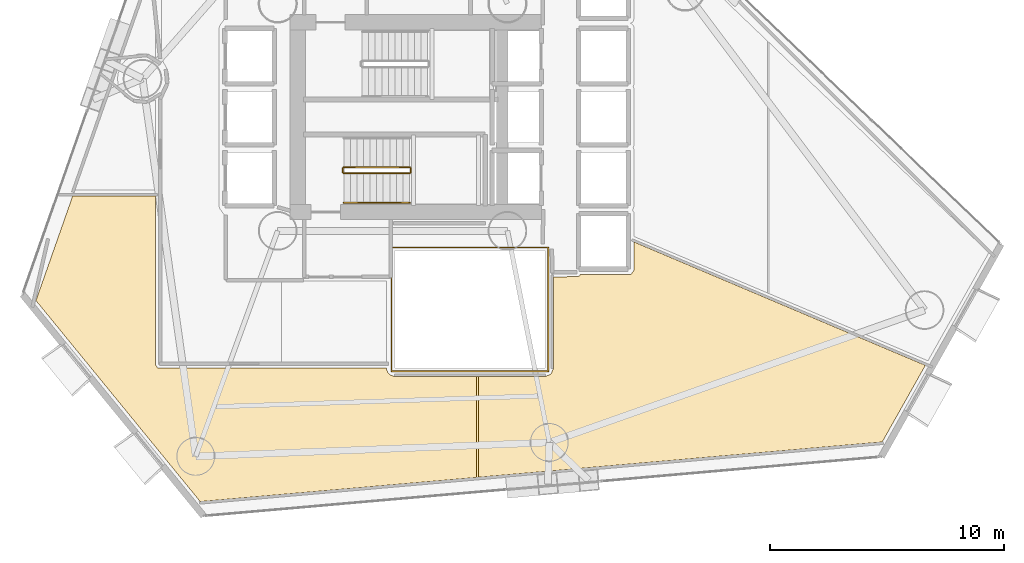
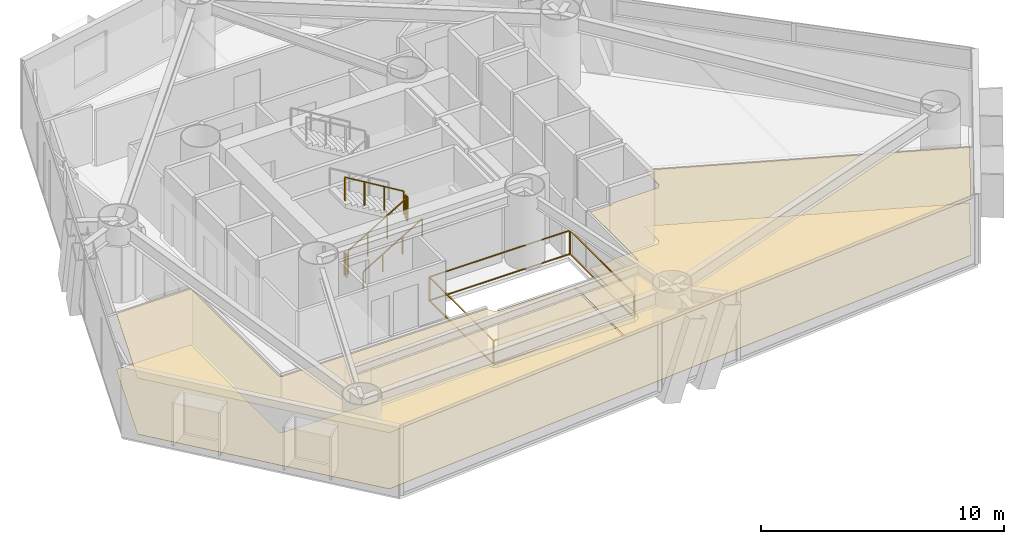
# One storey, part 21 of 23: 6 railings, 3 coverings.
"""IFC4 building model written with IfcOpenShell, lengths in metres."""

from ifc_helpers import new_model, si_unit, direction, frame, origin, origin_2d, place, context, subcontext, project, spatial, polyline, rectangle, outline, extrude, material, layer, layer_set, type_object, element, save


model = new_model("IFC4")

# Units and contexts
model_context = context("Model", 3, precision=1e-05, world=origin(), true_north=direction((0.0, 1.0)))
body_context = subcontext(model_context, "Body", "Model", "MODEL_VIEW")
ifc_project = project(units=[si_unit("LENGTHUNIT", "METRE"), si_unit("AREAUNIT", "SQUARE_METRE"), si_unit("VOLUMEUNIT", "CUBIC_METRE"), si_unit("PLANEANGLEUNIT", "RADIAN"), si_unit("MASSUNIT", "GRAM", prefix="KILO")], contexts=[model_context])

# Site, building, storey
site_placement = place(None, origin())
site = spatial("IfcSite", under=ifc_project, at=site_placement, CompositionType="ELEMENT")
building_placement = place(site_placement, origin())
building = spatial("IfcBuilding", under=site, at=building_placement, Name="Qianvela Tower", CompositionType="ELEMENT")
storey_placement = place(building_placement, frame((0.0, 0.0, 63.60009765625)))
storey = spatial("IfcBuildingStorey", under=building, at=storey_placement, Name="L15", CompositionType="ELEMENT", Elevation=63.60009765625)

# Coverings
ifc_material_1 = material(Name="Perforated Mineral Acoustic Ceiling Tile")
ifc_layer_1 = layer(ifc_material_1, 0.02490234375)
ifc_layer_set_1 = layer_set([ifc_layer_1], Name="Perforated Mineral Acoustic Ceiling Tile")
covering_type_1 = type_object("IfcCoveringType", Name="COV-CEIL-ACOUSTIC-25", PredefinedType="CEILING", material=ifc_layer_set_1)
covering_1_placement = place(storey_placement, frame((0.0, 0.0, 2.81494140625)))
element("IfcCovering", 1, at=covering_1_placement, inside=storey, type_object=covering_type_1, Name="L15 Acoustic Ceiling Bay 1 Student Fitness Gym L15-01", PredefinedType="CEILING", context=body_context, shape_type="SweptSolid", body=[
    extrude(outline(polyline([(25.29248046875, 12.296630859375), (18.283203125, 20.874267578125), (19.853515625, 25.343017578125), (23.389892578125, 25.343017578125), (23.389892578125, 18.14990234375), (23.390380859375, 18.14208984375), (23.3916015625, 18.134521484375), (23.393310546875, 18.126708984375), (23.39599609375, 18.119384765625), (23.3994140625, 18.1123046875), (23.403564453125, 18.105712890625), (23.452880859375, 18.031494140625), (23.45751953125, 18.025390625), (23.462890625, 18.01953125), (23.468505859375, 18.014404296875), (23.474853515625, 18.009521484375), (23.481689453125, 18.005615234375), (23.48876953125, 18.002197265625), (23.49609375, 17.99951171875), (23.503662109375, 17.99755859375), (23.511474609375, 17.99658203125), (23.519287109375, 17.99609375), (33.243408203125, 17.989990234375), (33.24560546875, 17.94189453125), (33.24609375, 17.93505859375), (33.247314453125, 17.927978515625), (33.2490234375, 17.92138671875), (33.25146484375, 17.914794921875), (33.293212890625, 17.813720703125), (33.296630859375, 17.806640625), (33.30078125, 17.800048828125), (33.305419921875, 17.793701171875), (33.310546875, 17.787841796875), (33.387939453125, 17.710693359375), (33.39306640625, 17.705810546875), (33.398681640625, 17.70166015625), (33.40478515625, 17.69775390625), (33.410888671875, 17.694580078125), (33.41748046875, 17.69189453125), (33.545654296875, 17.64599609375), (33.554443359375, 17.643310546875), (33.5634765625, 17.641845703125), (33.572509765625, 17.641357421875), (37.077392578125, 17.641357421875), (37.077392578125, 13.326416015625), (25.29248046875, 12.296630859375)])), origin(), (0.0, 0.0, 1.0), 0.02490234375),
])
covering_2_placement = place(storey_placement, frame((0.0, 0.0, 2.81494140625)))
element("IfcCovering", 2, at=covering_2_placement, inside=storey, type_object=covering_type_1, Name="L15 Acoustic Ceiling Bay 2 Student Fitness Gym L15-01", PredefinedType="CEILING", context=body_context, shape_type="SweptSolid", body=[
    extrude(outline(polyline([(54.392578125, 14.839111328125), (37.157470703125, 13.333251953125), (37.157470703125, 17.641357421875), (40.02734375, 17.641357421875), (40.036376953125, 17.641845703125), (40.044921875, 17.643310546875), (40.053466796875, 17.645751953125), (40.0615234375, 17.64892578125), (40.232177734375, 17.729736328125), (40.239013671875, 17.7333984375), (40.24560546875, 17.73779296875), (40.251708984375, 17.74267578125), (40.25732421875, 17.748291015625), (40.26220703125, 17.75439453125), (40.2666015625, 17.760986328125), (40.270263671875, 17.767822265625), (40.35107421875, 17.9384765625), (40.354248046875, 17.946533203125), (40.356689453125, 17.955078125), (40.358154296875, 17.963623046875), (40.358642578125, 17.972412109375), (40.360107421875, 21.889892578125), (41.367919921875, 21.890380859375), (41.375732421875, 21.890869140625), (41.383544921875, 21.891845703125), (41.39111328125, 21.893798828125), (41.3984375, 21.896484375), (41.405517578125, 21.89990234375), (41.45947265625, 21.9287109375), (41.46630859375, 21.932861328125), (41.472900390625, 21.9375), (41.478759765625, 21.943115234375), (41.48388671875, 21.948974609375), (41.48876953125, 21.955322265625), (41.492919921875, 21.96240234375), (41.49609375, 21.969482421875), (41.498779296875, 21.97705078125), (41.49951171875, 21.980224609375), (43.634033203125, 21.99072265625), (43.64208984375, 21.9912109375), (43.650390625, 21.992431640625), (43.658203125, 21.99462890625), (43.666015625, 21.99755859375), (43.67333984375, 22.001220703125), (43.680419921875, 22.005615234375), (43.686767578125, 22.010986328125), (43.692626953125, 22.0166015625), (43.69775390625, 22.02294921875), (43.78369140625, 22.138671875), (43.788330078125, 22.145751953125), (43.792236328125, 22.1533203125), (43.79541015625, 22.1611328125), (43.797607421875, 22.169189453125), (43.798828125, 22.177734375), (43.79931640625, 22.186279296875), (43.801025390625, 23.37353515625), (56.23388671875, 18.109619140625), (54.392578125, 14.839111328125)])), origin(), (0.0, 0.0, 1.0), 0.02490234375),
])
ifc_material_2 = material(Name="Engineered Acoustic Oak Timber Flooring", Category="wood")
ifc_layer_2 = layer(ifc_material_2, 0.02001953125)
ifc_layer_set_2 = layer_set([ifc_layer_2], Name="Engineered Acoustic Oak Timber Flooring")
covering_type_2 = type_object("IfcCoveringType", Name="COV-FLOOR-OAK-20", PredefinedType="FLOORING", material=ifc_layer_set_2)
covering_3_placement = place(storey_placement, origin())
element("IfcCovering", 3, at=covering_3_placement, inside=storey, type_object=covering_type_2, Name="L15 Finish Flooring Student Fitness Gym L15-01", PredefinedType="FLOORING", context=body_context, shape_type="SweptSolid", body=[
    extrude(outline(polyline([(56.23388671875, 18.109619140625), (54.392578125, 14.839111328125), (25.29248046875, 12.296630859375), (18.283203125, 20.874267578125), (19.853515625, 25.343017578125), (23.389892578125, 25.343017578125), (23.389892578125, 18.14990234375), (23.390380859375, 18.14208984375), (23.3916015625, 18.134521484375), (23.393310546875, 18.126708984375), (23.39599609375, 18.119384765625), (23.3994140625, 18.1123046875), (23.403564453125, 18.105712890625), (23.452880859375, 18.031494140625), (23.45751953125, 18.025390625), (23.462890625, 18.01953125), (23.468505859375, 18.014404296875), (23.474853515625, 18.009521484375), (23.481689453125, 18.005615234375), (23.48876953125, 18.002197265625), (23.49609375, 17.99951171875), (23.503662109375, 17.99755859375), (23.511474609375, 17.99658203125), (23.519287109375, 17.99609375), (33.243408203125, 17.989990234375), (33.24560546875, 17.94189453125), (33.24609375, 17.93505859375), (33.247314453125, 17.927978515625), (33.2490234375, 17.92138671875), (33.25146484375, 17.914794921875), (33.293212890625, 17.813720703125), (33.296630859375, 17.806640625), (33.30078125, 17.800048828125), (33.305419921875, 17.793701171875), (33.310546875, 17.787841796875), (33.387939453125, 17.710693359375), (33.39306640625, 17.705810546875), (33.398681640625, 17.70166015625), (33.40478515625, 17.69775390625), (33.410888671875, 17.694580078125), (33.41748046875, 17.69189453125), (33.545654296875, 17.64599609375), (33.554443359375, 17.643310546875), (33.5634765625, 17.641845703125), (33.572509765625, 17.641357421875), (40.02734375, 17.641357421875), (40.036376953125, 17.641845703125), (40.044921875, 17.643310546875), (40.053466796875, 17.645751953125), (40.0615234375, 17.64892578125), (40.232177734375, 17.729736328125), (40.239013671875, 17.7333984375), (40.24560546875, 17.73779296875), (40.251708984375, 17.74267578125), (40.25732421875, 17.748291015625), (40.26220703125, 17.75439453125), (40.2666015625, 17.760986328125), (40.270263671875, 17.767822265625), (40.35107421875, 17.9384765625), (40.354248046875, 17.946533203125), (40.356689453125, 17.955078125), (40.358154296875, 17.963623046875), (40.358642578125, 17.972412109375), (40.360107421875, 21.889892578125), (41.367919921875, 21.890380859375), (41.375732421875, 21.890869140625), (41.383544921875, 21.891845703125), (41.39111328125, 21.893798828125), (41.3984375, 21.896484375), (41.405517578125, 21.89990234375), (41.45947265625, 21.9287109375), (41.46630859375, 21.932861328125), (41.472900390625, 21.9375), (41.478759765625, 21.943115234375), (41.48388671875, 21.948974609375), (41.48876953125, 21.955322265625), (41.492919921875, 21.96240234375), (41.49609375, 21.969482421875), (41.498779296875, 21.97705078125), (41.49951171875, 21.980224609375), (43.634033203125, 21.99072265625), (43.64208984375, 21.9912109375), (43.650390625, 21.992431640625), (43.658203125, 21.99462890625), (43.666015625, 21.99755859375), (43.67333984375, 22.001220703125), (43.680419921875, 22.005615234375), (43.686767578125, 22.010986328125), (43.692626953125, 22.0166015625), (43.69775390625, 22.02294921875), (43.78369140625, 22.138671875), (43.788330078125, 22.145751953125), (43.792236328125, 22.1533203125), (43.79541015625, 22.1611328125), (43.797607421875, 22.169189453125), (43.798828125, 22.177734375), (43.79931640625, 22.186279296875), (43.801025390625, 23.37353515625), (56.23388671875, 18.109619140625)])), origin(), (0.0, 0.0, 1.0), 0.02001953125),
])

# Railings
ifc_material_3 = material(Name="Laminated Safety Glass and Stainless Steel 316", Category="steel")
railing_type_1 = type_object("IfcRailingType", Name="RL-ATRIUM-GUARD-1250", PredefinedType="GUARDRAIL", material=ifc_material_3)
railing_1_placement = place(storey_placement, frame((33.4599609375, 17.860107421875, 0.0)))
element("IfcRailing", 4, at=railing_1_placement, inside=storey, type_object=railing_type_1, Name="L15 Atrium Edge Guardrail 1", PredefinedType="GUARDRAIL", context=body_context, shape_type="SweptSolid", body=[
    extrude(rectangle(XDim=0.050048828125, YDim=0.0400390625, at=origin_2d()), frame((0.0, 0.0, 1.22998046875), z_axis=(0.0, 1.0, 0.0), x_axis=(-1.0, 0.0, 0.0)), (0.0, 0.0, 1.0), 5.27978515625),
    extrude(rectangle(XDim=0.050048828125, YDim=0.0400390625, at=origin_2d()), frame((0.0, 0.0, 0.050048828125), z_axis=(0.0, 1.0, 0.0), x_axis=(-1.0, 0.0, 0.0)), (0.0, 0.0, 1.0), 5.27978515625),
    extrude(rectangle(XDim=0.050048828125, YDim=0.0400390625, at=origin_2d()), frame((0.0, 5.27978515625, 1.22998046875), z_axis=(1.0, 0.0, 0.0), x_axis=(0.0, 1.0, 0.0)), (0.0, 0.0, 1.0), 6.679931640625),
    extrude(rectangle(XDim=0.050048828125, YDim=0.0400390625, at=origin_2d()), frame((0.0, 5.27978515625, 0.050048828125), z_axis=(1.0, 0.0, 0.0), x_axis=(0.0, 1.0, 0.0)), (0.0, 0.0, 1.0), 6.679931640625),
    extrude(rectangle(XDim=0.050048828125, YDim=0.0400390625, at=origin_2d()), frame((6.679931640625, 5.27978515625, 1.22998046875), z_axis=(0.0, -1.0, 0.0), x_axis=(1.0, 0.0, 0.0)), (0.0, 0.0, 1.0), 5.27978515625),
    extrude(rectangle(XDim=0.050048828125, YDim=0.0400390625, at=origin_2d()), frame((6.679931640625, 5.27978515625, 0.050048828125), z_axis=(0.0, -1.0, 0.0), x_axis=(1.0, 0.0, 0.0)), (0.0, 0.0, 1.0), 5.27978515625),
    extrude(rectangle(XDim=0.050048828125, YDim=0.0400390625, at=origin_2d()), frame((6.679931640625, 0.0, 1.22998046875), z_axis=(-1.0, 0.0, 0.0), x_axis=(0.0, -1.0, 0.0)), (0.0, 0.0, 1.0), 6.679931640625),
    extrude(rectangle(XDim=0.050048828125, YDim=0.0400390625, at=origin_2d()), frame((6.679931640625, 0.0, 0.050048828125), z_axis=(-1.0, 0.0, 0.0), x_axis=(0.0, -1.0, 0.0)), (0.0, 0.0, 1.0), 6.679931640625),
    extrude(rectangle(XDim=0.050048828125, YDim=0.050048828125, at=origin_2d()), origin(), (0.0, 0.0, 1.0), 1.2099609375),
    extrude(rectangle(XDim=0.050048828125, YDim=0.050048828125, at=origin_2d()), frame((0.0, 5.27978515625, 0.0)), (0.0, 0.0, 1.0), 1.2099609375),
    extrude(rectangle(XDim=0.050048828125, YDim=0.050048828125, at=origin_2d()), frame((6.679931640625, 5.27978515625, 0.0)), (0.0, 0.0, 1.0), 1.2099609375),
    extrude(rectangle(XDim=0.050048828125, YDim=0.050048828125, at=origin_2d()), frame((6.679931640625, 0.0, 0.0)), (0.0, 0.0, 1.0), 1.2099609375),
])
ifc_material_4 = material(Name="Painted Tubular Steel Q355B", Category="steel")
railing_type_2 = type_object("IfcRailingType", Name="RL-STAIR-GUARD-1200", PredefinedType="GUARDRAIL", material=ifc_material_4)
railing_2_placement = place(storey_placement, frame((31.419921875, 26.300048828125, 0.16796875)))
element("IfcRailing", 5, at=railing_2_placement, inside=storey, type_object=railing_type_2, Name="L15 ST-2 stair guard 1", PredefinedType="GUARDRAIL", context=body_context, shape_type="SweptSolid", body=[
    extrude(rectangle(XDim=0.050048828125, YDim=0.0400390625, at=origin_2d()), frame((0.0, 0.0, 1.179931640625), z_axis=(0.857242210791, 0.0, 0.514913383045), x_axis=(0.0, 1.0, 0.0)), (0.0, 0.0, 1.0), 3.266357421875),
    extrude(rectangle(XDim=0.050048828125, YDim=0.050048828125, at=origin_2d()), origin(), (0.0, 0.0, 1.0), 1.159912109375),
    extrude(rectangle(XDim=0.050048828125, YDim=0.050048828125, at=origin_2d()), frame((0.933349609375, 0.0, 0.560546875)), (0.0, 0.0, 1.0), 1.159912109375),
    extrude(rectangle(XDim=0.050048828125, YDim=0.050048828125, at=origin_2d()), frame((1.86669921875, 0.0, 1.121337890625)), (0.0, 0.0, 1.0), 1.159912109375),
    extrude(rectangle(XDim=0.050048828125, YDim=0.050048828125, at=origin_2d()), frame((2.800048828125, 0.0, 1.681884765625)), (0.0, 0.0, 1.0), 1.159912109375),
])
railing_3_placement = place(storey_placement, frame((34.27001953125, 26.35009765625, 1.849853515625)))
element("IfcRailing", 6, at=railing_3_placement, inside=storey, type_object=railing_type_2, Name="L15 ST-2 stair guard 2", PredefinedType="GUARDRAIL", context=body_context, shape_type="SweptSolid", body=[
    extrude(rectangle(XDim=0.050048828125, YDim=0.0400390625, at=origin_2d()), frame((0.0, 0.0, 1.179931640625), z_axis=(0.0, 1.0, 0.0), x_axis=(-1.0, 0.0, 0.0)), (0.0, 0.0, 1.0), 0.159912109375),
    extrude(rectangle(XDim=0.050048828125, YDim=0.050048828125, at=origin_2d()), origin(), (0.0, 0.0, 1.0), 1.159912109375),
    extrude(rectangle(XDim=0.050048828125, YDim=0.050048828125, at=origin_2d()), frame((0.0, 0.159912109375, 0.0)), (0.0, 0.0, 1.0), 1.159912109375),
])
railing_4_placement = place(storey_placement, frame((34.219970703125, 26.56005859375, 2.01806640625)))
element("IfcRailing", 7, at=railing_4_placement, inside=storey, type_object=railing_type_2, Name="L15 ST-2 stair guard 3", PredefinedType="GUARDRAIL", context=body_context, shape_type="SweptSolid", body=[
    extrude(rectangle(XDim=0.050048828125, YDim=0.0400390625, at=origin_2d()), frame((0.0, 0.0, 1.179931640625), z_axis=(-0.857242210791, 0.0, 0.514913383045), x_axis=(0.0, -1.0, 0.0)), (0.0, 0.0, 1.0), 3.266357421875),
    extrude(rectangle(XDim=0.050048828125, YDim=0.050048828125, at=origin_2d()), origin(), (0.0, 0.0, 1.0), 1.159912109375),
    extrude(rectangle(XDim=0.050048828125, YDim=0.050048828125, at=origin_2d()), frame((-0.933349609375, 0.0, 0.560546875)), (0.0, 0.0, 1.0), 1.159912109375),
    extrude(rectangle(XDim=0.050048828125, YDim=0.050048828125, at=origin_2d()), frame((-1.86669921875, 0.0, 1.121337890625)), (0.0, 0.0, 1.0), 1.159912109375),
    extrude(rectangle(XDim=0.050048828125, YDim=0.050048828125, at=origin_2d()), frame((-2.800048828125, 0.0, 1.681884765625)), (0.0, 0.0, 1.0), 1.159912109375),
])
railing_5_placement = place(storey_placement, frame((31.3701171875, 26.35009765625, 0.0)))
element("IfcRailing", 8, at=railing_5_placement, inside=storey, type_object=railing_type_2, Name="L15 ST-2 stair guard 4", PredefinedType="GUARDRAIL", context=body_context, shape_type="SweptSolid", body=[
    extrude(rectangle(XDim=0.050048828125, YDim=0.0400390625, at=origin_2d()), frame((0.0, 0.0, 1.179931640625), z_axis=(0.0, 1.0, 0.0), x_axis=(-1.0, 0.0, 0.0)), (0.0, 0.0, 1.0), 0.159912109375),
    extrude(rectangle(XDim=0.050048828125, YDim=0.050048828125, at=origin_2d()), origin(), (0.0, 0.0, 1.0), 1.159912109375),
    extrude(rectangle(XDim=0.050048828125, YDim=0.050048828125, at=origin_2d()), frame((0.0, 0.159912109375, 0.0)), (0.0, 0.0, 1.0), 1.159912109375),
])
ifc_material_5 = material(Name="Brushed Stainless Steel 304", Category="steel")
railing_type_3 = type_object("IfcRailingType", Name="RL-STAIR-HANDRAIL-900", PredefinedType="HANDRAIL", material=ifc_material_5)
railing_6_placement = place(storey_placement, frame((31.419921875, 25.050048828125, 0.16796875)))
element("IfcRailing", 9, at=railing_6_placement, inside=storey, type_object=railing_type_3, Name="L15 ST-2 stair handrail 1", PredefinedType="HANDRAIL", context=body_context, shape_type="SweptSolid", body=[
    extrude(rectangle(XDim=0.050048828125, YDim=0.0400390625, at=origin_2d()), frame((0.0, 0.0, 0.8798828125), z_axis=(0.857242210791, 0.0, 0.514913383045), x_axis=(0.0, 1.0, 0.0)), (0.0, 0.0, 1.0), 3.266357421875),
    extrude(rectangle(XDim=0.050048828125, YDim=0.050048828125, at=origin_2d()), origin(), (0.0, 0.0, 1.0), 0.85986328125),
    extrude(rectangle(XDim=0.050048828125, YDim=0.050048828125, at=origin_2d()), frame((0.933349609375, 0.0, 0.560546875)), (0.0, 0.0, 1.0), 0.85986328125),
    extrude(rectangle(XDim=0.050048828125, YDim=0.050048828125, at=origin_2d()), frame((1.86669921875, 0.0, 1.121337890625)), (0.0, 0.0, 1.0), 0.85986328125),
    extrude(rectangle(XDim=0.050048828125, YDim=0.050048828125, at=origin_2d()), frame((2.800048828125, 0.0, 1.681884765625)), (0.0, 0.0, 1.0), 0.85986328125),
])

save(model, "model.ifc")
